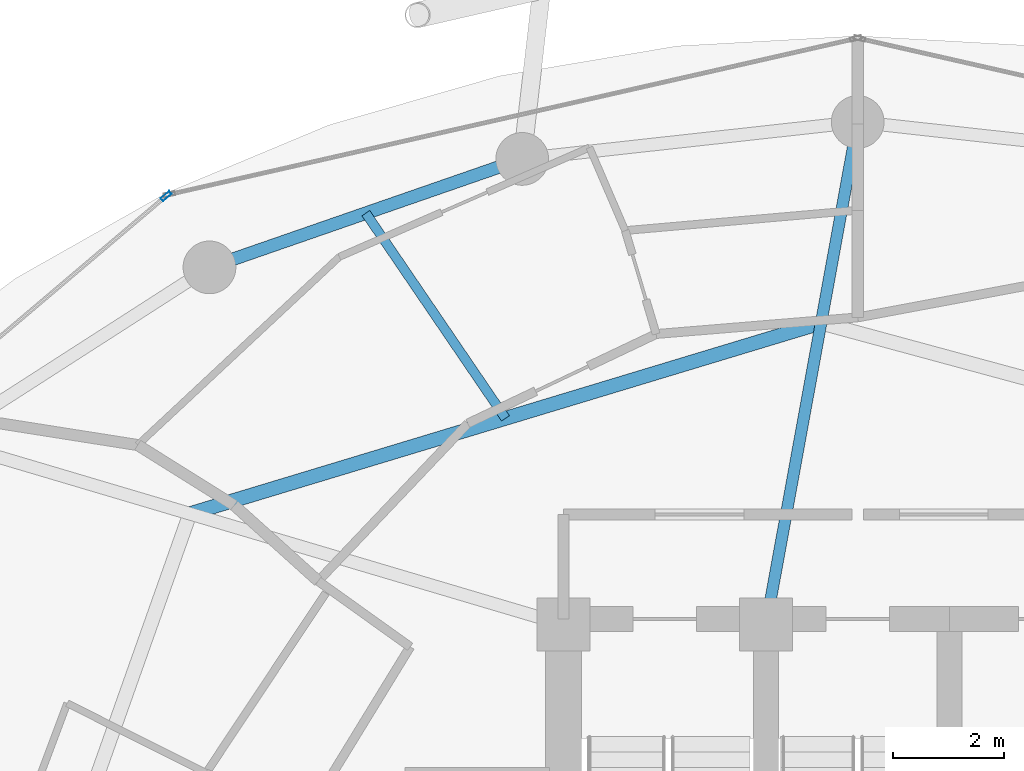
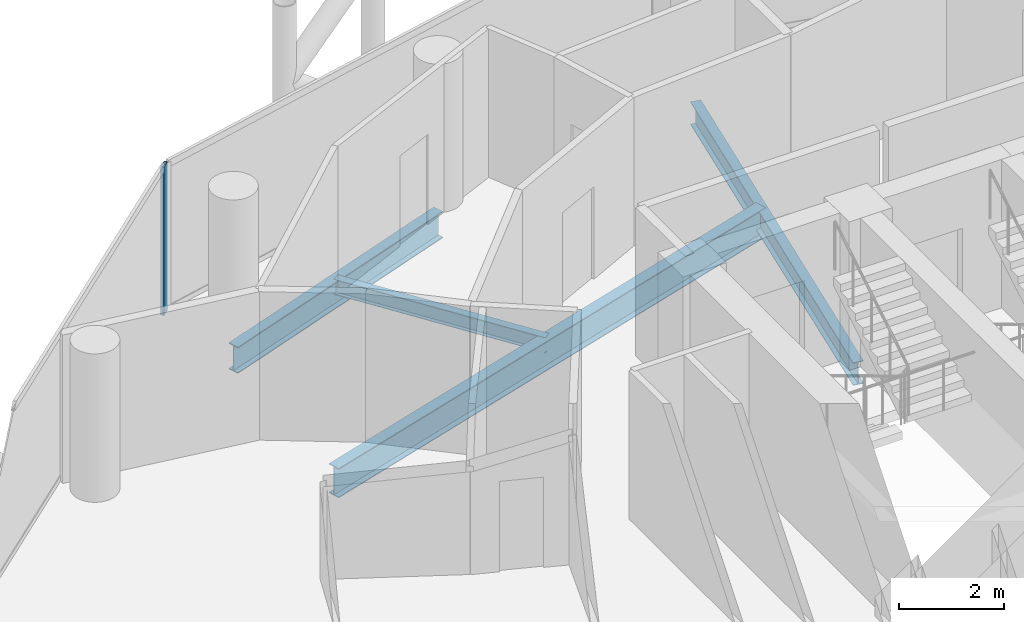
# One storey, part 15 of 26: 4 beams, 1 member, 1 element without a shape of its own.
"""IFC4 building model written with IfcOpenShell, lengths in metres."""

from ifc_helpers import new_model, si_unit, direction, frame, origin, origin_2d, place, context, subcontext, project, spatial, hollow_rectangle, i_section, extrude, material, layer, layer_set, material_profile, profile_set, type_object, element, aggregate, save


model = new_model("IFC4")

# Units and contexts
model_context = context("Model", 3, precision=1e-05, world=origin(), true_north=direction((0.0, 1.0)))
body_context = subcontext(model_context, "Body", "Model", "MODEL_VIEW")
ifc_project = project(units=[si_unit("LENGTHUNIT", "METRE"), si_unit("AREAUNIT", "SQUARE_METRE"), si_unit("VOLUMEUNIT", "CUBIC_METRE"), si_unit("PLANEANGLEUNIT", "RADIAN"), si_unit("MASSUNIT", "GRAM", prefix="KILO")], contexts=[model_context])

# Site, building, storey
site_placement = place(None, origin())
site = spatial("IfcSite", under=ifc_project, at=site_placement, CompositionType="ELEMENT")
building_placement = place(site_placement, origin())
building = spatial("IfcBuilding", under=site, at=building_placement, Name="Nuhasar Tower", CompositionType="ELEMENT")
storey_placement = place(building_placement, frame((0.0, 0.0, 144.14990234375)))
storey = spatial("IfcBuildingStorey", under=building, at=storey_placement, Name="L34", CompositionType="ELEMENT", Elevation=144.14990234375)

# Beams
ifc_material_1 = material(Name="Steel S355", Category="steel")
ifc_material_profile_1 = material_profile(ifc_material_1, i_section(OverallWidth=0.25390625, OverallDepth=0.68408203125, WebThickness=0.012451171875, FlangeThickness=0.018798828125, at=origin_2d()), Name="W27X94")
ifc_profile_set_1 = profile_set([ifc_material_profile_1], Name="Steel S355")
beam_type_1 = type_object("IfcBeamType", Name="BM-INRING-W27X94", PredefinedType="BEAM", material=ifc_profile_set_1)
beam_1_placement = place(storey_placement, frame((38.340087890625, 42.72998046875, -0.591796875), z_axis=(-0.95722440557, -0.289346569673, 0.0), x_axis=(0.289346569673, -0.95722440557, 0.0)))
element("IfcBeam", 1, at=beam_1_placement, inside=storey, type_object=beam_type_1, Name="L34 Inner Header Beam 06", PredefinedType="BEAM", context=body_context, shape_type="SweptSolid", body=[
    extrude(i_section(OverallWidth=0.25390625, OverallDepth=0.68408203125, WebThickness=0.012451171875, FlangeThickness=0.018798828125, at=origin_2d()), origin(), (0.0, 0.0, 1.0), 11.875244140625),
])
ifc_material_profile_2 = material_profile(ifc_material_1, i_section(OverallWidth=0.1708984375, OverallDepth=0.35205078125, WebThickness=0.0068359375, FlangeThickness=0.009765625, at=origin_2d()), Name="W14X30")
ifc_profile_set_2 = profile_set([ifc_material_profile_2], Name="Steel S355")
beam_type_2 = type_object("IfcBeamType", Name="BM-JST-W14X30", PredefinedType="JOIST", material=ifc_profile_set_2)
beam_2_placement = place(storey_placement, frame((32.656982421875, 41.011962890625, -0.42578125), z_axis=(-0.562802886474, 0.826591138941, 0.0), x_axis=(-0.826591138941, -0.562802886474, 0.0)))
element("IfcBeam", 2, at=beam_2_placement, inside=storey, type_object=beam_type_2, Name="L34 Secondary Floor Joist 06", PredefinedType="JOIST", context=body_context, shape_type="SweptSolid", body=[
    extrude(i_section(OverallWidth=0.1708984375, OverallDepth=0.35205078125, WebThickness=0.0068359375, FlangeThickness=0.009765625, at=origin_2d()), origin(), (0.0, 0.0, 1.0), 4.47021484375),
])
ifc_material_profile_3 = material_profile(ifc_material_1, i_section(OverallWidth=0.208984375, OverallDepth=0.532958984375, WebThickness=0.01025390625, FlangeThickness=0.015625, at=origin_2d()), Name="W21X62")
ifc_profile_set_3 = profile_set([ifc_material_profile_3], Name="Steel S355")
beam_type_3 = type_object("IfcBeamType", Name="BM-RAD-W21X62", PredefinedType="BEAM", material=ifc_profile_set_3)
beam_3_placement = place(storey_placement, frame((37.35009765625, 37.300048828125, -0.516845703125), z_axis=(0.179352509513, 0.983784873502, 0.0), x_axis=(-0.983784873502, 0.179352509513, 0.0)))
element("IfcBeam", 3, at=beam_3_placement, inside=storey, type_object=beam_type_3, Name="L34 Radial Floor Girder 06", PredefinedType="BEAM", context=body_context, shape_type="SweptSolid", body=[
    extrude(i_section(OverallWidth=0.208984375, OverallDepth=0.532958984375, WebThickness=0.01025390625, FlangeThickness=0.015625, at=origin_2d()), origin(), (0.0, 0.0, 1.0), 9.19921875),
])
ifc_material_profile_4 = material_profile(ifc_material_1, i_section(OverallWidth=0.22998046875, OverallDepth=0.616943359375, WebThickness=0.01318359375, FlangeThickness=0.022216796875, at=origin_2d()), Name="W24X94")
ifc_profile_set_4 = profile_set([ifc_material_profile_4], Name="Steel S355")
beam_type_4 = type_object("IfcBeamType", Name="BM-RING-W24X94", PredefinedType="SPANDREL", material=ifc_profile_set_4)
beam_4_placement = place(storey_placement, frame((32.95703125, 45.68408203125, -0.558837890625), z_axis=(-0.944801380051, -0.327643636066, 0.0), x_axis=(0.327643636066, -0.944801380051, 0.0)))
element("IfcBeam", 4, at=beam_4_placement, inside=storey, type_object=beam_type_4, Name="L34 Perimeter Ring Spandrel 08", PredefinedType="SPANDREL", context=body_context, shape_type="SweptSolid", body=[
    extrude(i_section(OverallWidth=0.22998046875, OverallDepth=0.616943359375, WebThickness=0.01318359375, FlangeThickness=0.022216796875, at=origin_2d()), origin(), (0.0, 0.0, 1.0), 5.961181640625),
])

# Curtain wall, member
ifc_material_2 = material(Name="Aluminium 6063-T6", Category="aluminium")
ifc_layer = layer(ifc_material_2, 0.199951171875)
ifc_layer_set = layer_set([ifc_layer], Name="Aluminium 6063-T6")
curtain_wall_type = type_object("IfcCurtainWallType", Name="CW-Z2-HTL", PredefinedType="NOTDEFINED", material=ifc_layer_set)
curtain_wall_placement = place(storey_placement, origin())
curtain_wall = element("IfcCurtainWall", 5, at=curtain_wall_placement, inside=storey, type_object=curtain_wall_type, Name="L34 Unitised Curtain Wall 05", PredefinedType="NOTDEFINED")
ifc_material_profile_5 = material_profile(ifc_material_2, hollow_rectangle(XDim=0.070068359375, YDim=0.199951171875, WallThickness=0.0048828125, at=origin_2d()), Name="CWM-3")
ifc_profile_set_5 = profile_set([ifc_material_profile_5], Name="Aluminium 6063-T6")
member_type = type_object("IfcMemberType", Name="CW-MUL-S3", PredefinedType="MULLION", material=ifc_profile_set_5)
member_placement = place(storey_placement, frame((26.543212890625, 45.015380859375, 0.0), z_axis=(0.0, 0.0, 1.0), x_axis=(0.646374438324, -0.763020370292, 0.0)))
member = element("IfcMember", 6, at=member_placement, type_object=member_type, Name="CW-Z2 mullion 1", PredefinedType="MULLION", context=body_context, shape_type="SweptSolid", body=[
    extrude(hollow_rectangle(XDim=0.070068359375, YDim=0.199951171875, WallThickness=0.0048828125, at=origin_2d()), origin(), (0.0, 0.0, 1.0), 3.4501953125),
])
aggregate(curtain_wall, [member])

save(model, "model.ifc")
